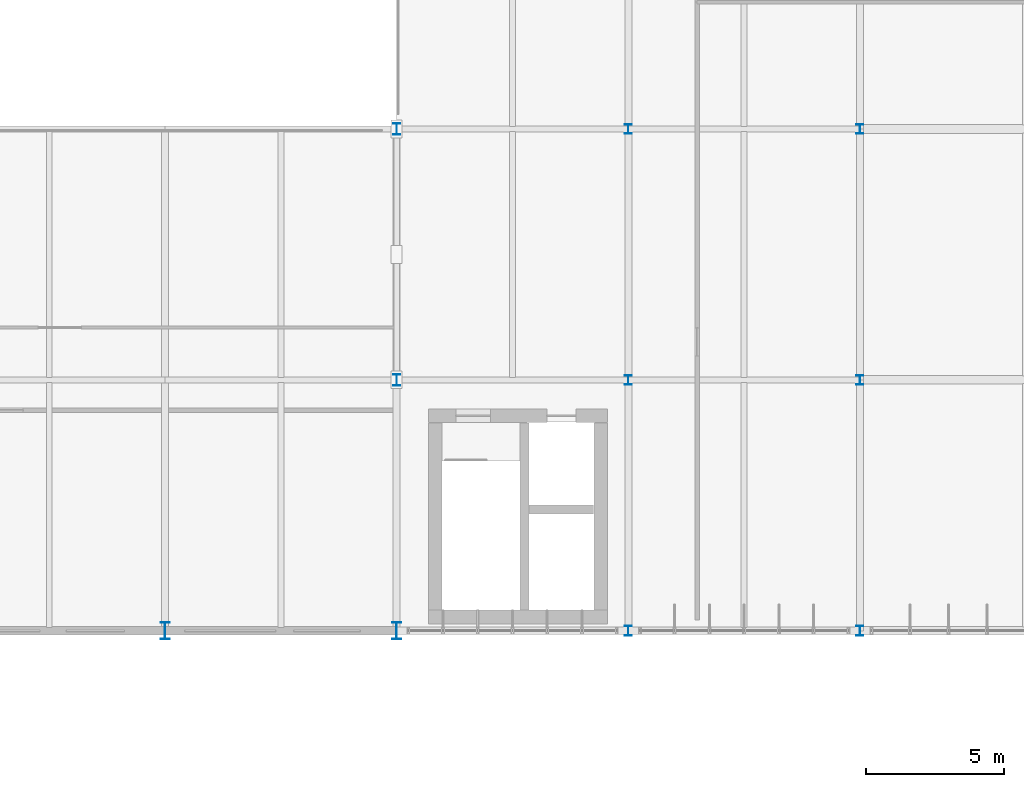
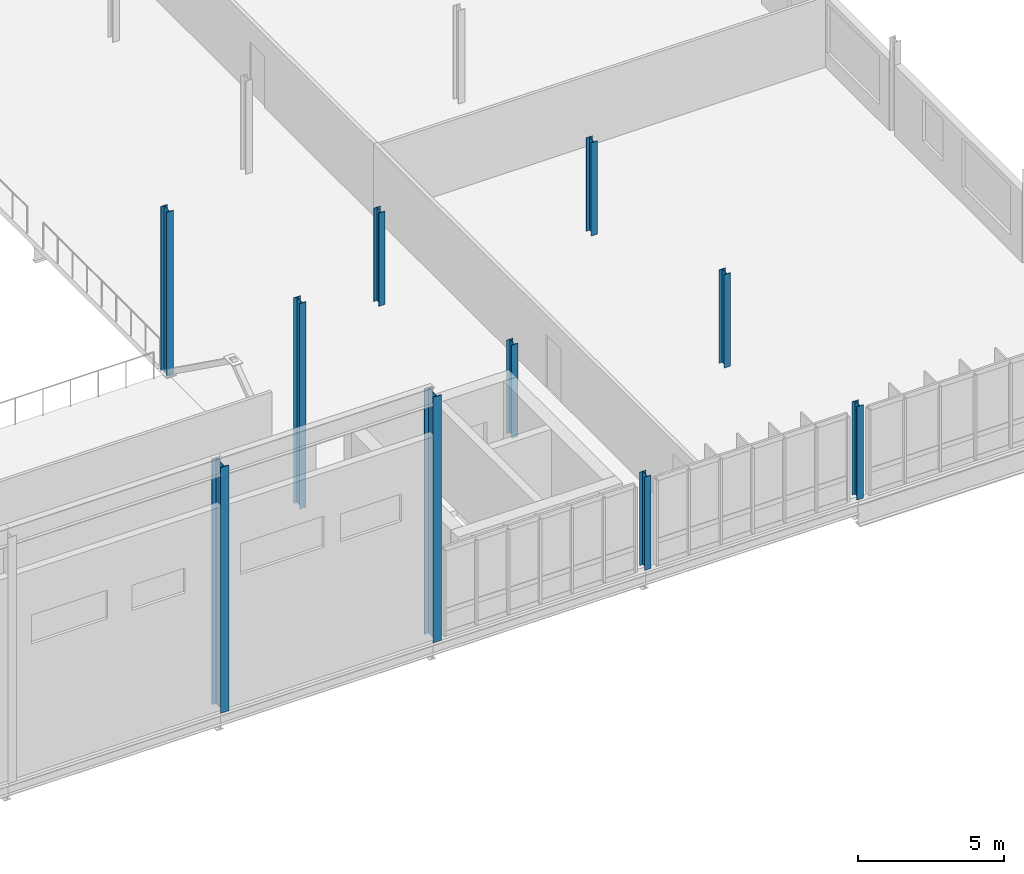
# One storey, part 5 of 61: 10 columns.
"""IFC4 building model written with IfcOpenShell, lengths in metres."""

from ifc_helpers import new_model, si_unit, derived_unit, direction, frame, origin, origin_2d, place, context, subcontext, project, spatial, i_section, extrude, material, material_profile, profile_set, type_object, element, save


model = new_model("IFC4")

# Units and contexts
model_context = context("Model", 3, precision=1e-05, world=origin(), true_north=direction((0.0, 1.0)))
body_context = subcontext(model_context, "Body", "Model", "MODEL_VIEW")
ifc_project = project(units=[si_unit("LENGTHUNIT", "METRE"), si_unit("AREAUNIT", "SQUARE_METRE"), si_unit("VOLUMEUNIT", "CUBIC_METRE"), si_unit("PLANEANGLEUNIT", "RADIAN"), si_unit("MASSUNIT", "GRAM", prefix="KILO"), derived_unit("THERMALTRANSMITTANCEUNIT", [(si_unit("MASSUNIT", "GRAM", prefix="KILO"), 1), (si_unit("TIMEUNIT", "SECOND"), -3), (si_unit("THERMODYNAMICTEMPERATUREUNIT", "KELVIN"), -1)])], contexts=[model_context])

# Site, building, storey
site_placement = place(None, origin())
site = spatial("IfcSite", under=ifc_project, at=site_placement, CompositionType="ELEMENT")
building_placement = place(site_placement, origin())
building = spatial("IfcBuilding", under=site, at=building_placement, Name="Makaiwela Harbour Ferry Terminal", CompositionType="ELEMENT")
storey_placement = place(building_placement, frame((0.0, 0.0, 13.800048828125)))
storey = spatial("IfcBuildingStorey", under=building, at=storey_placement, Name="L03", CompositionType="ELEMENT", Elevation=13.800048828125)

# Columns
ifc_material = material(Name="Steel ASTM A992 Grade 50", Category="steel")
ifc_material_profile_1 = material_profile(ifc_material, i_section(OverallWidth=0.2548828125, OverallDepth=0.35693359375, WebThickness=0.010498046875, FlangeThickness=0.018310546875, at=origin_2d()), Name="W14X68")
ifc_profile_set_1 = profile_set([ifc_material_profile_1], Name="Steel ASTM A992 Grade 50")
column_type_1 = type_object("IfcColumnType", Name="STR-COL-W14X68", PredefinedType="COLUMN", material=ifc_profile_set_1)
for number, where, z_axis, x_axis, name in (
    (1, (147.0, 49.39990234375, 0.0), (0.0, 0.0, 1.0), (1.0, 0.0, 0.0), "Structural Column C-06"),
    (2, (147.0, 58.5, 0.0), (0.0, 0.0, 1.0), (1.0, 0.0, 0.0), "Structural Column C-06"),
    (3, (147.0, 67.60009765625, 0.0), (0.0, 0.0, 1.0), (1.0, 0.0, 0.0), "Structural Column C-06"),
    (4, (155.39990234375, 49.39990234375, 0.0), (0.0, 0.0, 1.0), (1.0, 0.0, 0.0), "Structural Column C-06"),
    (5, (155.39990234375, 58.5, 0.0), (0.0, 0.0, 1.0), (1.0, 0.0, 0.0), "Structural Column C-06"),
    (6, (155.39990234375, 67.60009765625, 0.0), (0.0, 0.0, 1.0), (1.0, 0.0, 0.0), "Structural Column C-06"),
):
    element("IfcColumn", number, at=place(storey_placement, frame(where, z_axis=z_axis, x_axis=x_axis)), inside=storey, type_object=column_type_1, Name=name, PredefinedType="COLUMN", context=body_context, shape_type="SweptSolid", body=[
        extrude(i_section(OverallWidth=0.2548828125, OverallDepth=0.35693359375, WebThickness=0.010498046875, FlangeThickness=0.018310546875, at=origin_2d()), origin(), (0.0, 0.0, 1.0), 3.89990234375),
    ])
ifc_material_profile_2 = material_profile(ifc_material, i_section(OverallWidth=0.260986328125, OverallDepth=0.4189453125, WebThickness=0.01171875, FlangeThickness=0.019287109375, at=origin_2d()), Name="W16X77")
ifc_profile_set_2 = profile_set([ifc_material_profile_2], Name="Steel ASTM A992 Grade 50")
column_type_2 = type_object("IfcColumnType", Name="STR-COL-W16X77", PredefinedType="COLUMN", material=ifc_profile_set_2)
column_1_placement = place(storey_placement, frame((138.60009765625, 58.5, 0.0), z_axis=(0.0, 0.0, 1.0), x_axis=(1.0, 0.0, 0.0)))
element("IfcColumn", 7, at=column_1_placement, inside=storey, type_object=column_type_2, Name="Structural Column C-04", PredefinedType="COLUMN", context=body_context, shape_type="SweptSolid", body=[
    extrude(i_section(OverallWidth=0.260986328125, OverallDepth=0.4189453125, WebThickness=0.01171875, FlangeThickness=0.019287109375, at=origin_2d()), origin(), (0.0, 0.0, 1.0), 8.593017578125),
])
column_2_placement = place(storey_placement, frame((138.60009765625, 67.60009765625, 0.0), z_axis=(0.0, 0.0, 1.0), x_axis=(1.0, 0.0, 0.0)))
element("IfcColumn", 8, at=column_2_placement, inside=storey, type_object=column_type_2, Name="Structural Column C-04", PredefinedType="COLUMN", context=body_context, shape_type="SweptSolid", body=[
    extrude(i_section(OverallWidth=0.260986328125, OverallDepth=0.4189453125, WebThickness=0.01171875, FlangeThickness=0.019287109375, at=origin_2d()), origin(), (0.0, 0.0, 1.0), 6.89306640625),
])
ifc_material_profile_3 = material_profile(ifc_material, i_section(OverallWidth=0.324951171875, OverallDepth=0.615966796875, WebThickness=0.013916015625, FlangeThickness=0.021484375, at=origin_2d()), Name="W24X117")
ifc_profile_set_3 = profile_set([ifc_material_profile_3], Name="Steel ASTM A992 Grade 50")
column_type_3 = type_object("IfcColumnType", Name="STR-COL-W24X117", PredefinedType="COLUMN", material=ifc_profile_set_3)
for number, where, z_axis, x_axis, name in (
    (9, (130.199951171875, 49.39990234375, 0.0), (0.0, 0.0, 1.0), (1.0, 0.0, 0.0), "Structural Column C-02"),
    (10, (138.60009765625, 49.39990234375, 0.0), (0.0, 0.0, 1.0), (1.0, 0.0, 0.0), "Structural Column C-02"),
):
    element("IfcColumn", number, at=place(storey_placement, frame(where, z_axis=z_axis, x_axis=x_axis)), inside=storey, type_object=column_type_3, Name=name, PredefinedType="COLUMN", context=body_context, shape_type="SweptSolid", body=[
        extrude(i_section(OverallWidth=0.324951171875, OverallDepth=0.615966796875, WebThickness=0.013916015625, FlangeThickness=0.021484375, at=origin_2d()), origin(), (0.0, 0.0, 1.0), 10.27294921875),
    ])

save(model, "model.ifc")
